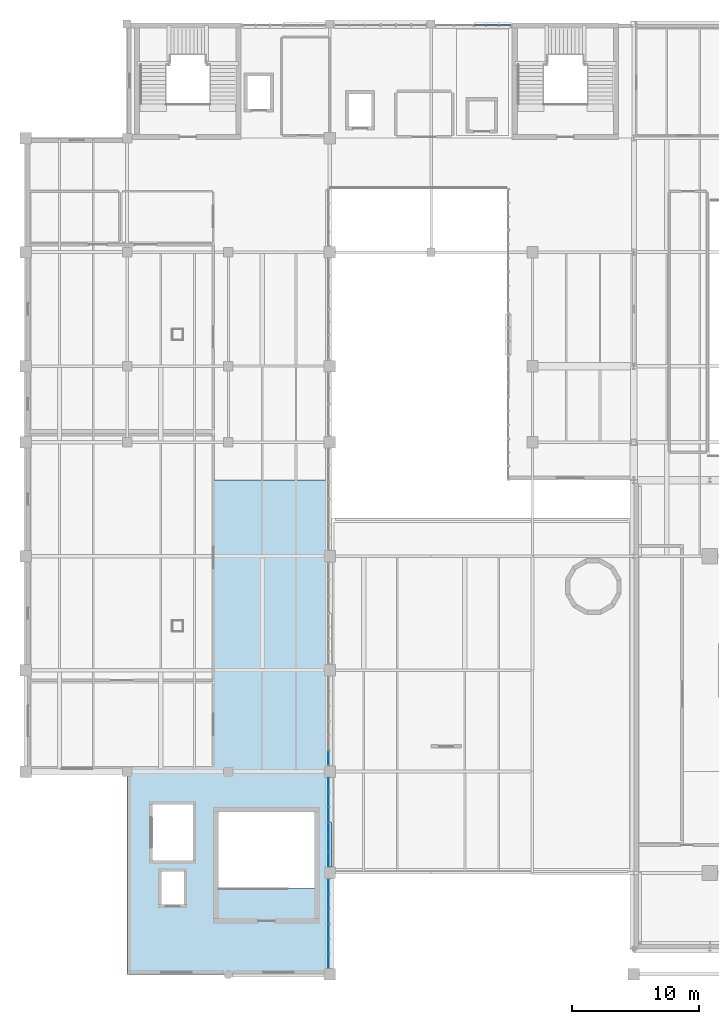
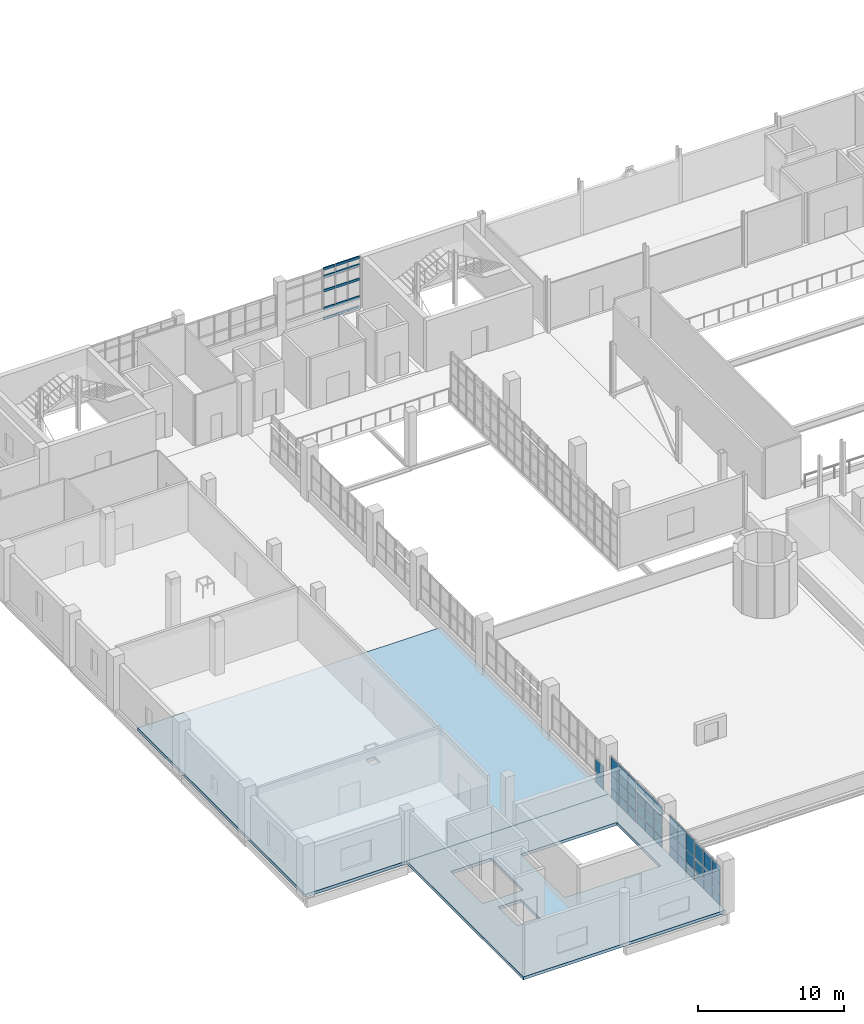
# One storey, part 50 of 85: 39 plates, 15 members, 2 slabs, 6 elements without a shape of their own.
"""IFC4 building model written with IfcOpenShell, lengths in metres."""

from ifc_helpers import new_model, si_unit, derived_unit, direction, frame, origin, origin_2d, place, context, subcontext, project, spatial, polyline, rectangle, hollow_rectangle, outline, extrude, material, layer, layer_set, material_profile, profile_set, type_object, element, aggregate, save


model = new_model("IFC4")

# Units and contexts
model_context = context("Model", 3, precision=1e-05, world=origin(), true_north=direction((0.0, 1.0)))
body_context = subcontext(model_context, "Body", "Model", "MODEL_VIEW")
ifc_project = project(units=[si_unit("LENGTHUNIT", "METRE"), si_unit("AREAUNIT", "SQUARE_METRE"), si_unit("VOLUMEUNIT", "CUBIC_METRE"), si_unit("PLANEANGLEUNIT", "RADIAN"), si_unit("MASSUNIT", "GRAM", prefix="KILO"), derived_unit("THERMALTRANSMITTANCEUNIT", [(si_unit("POWERUNIT", "WATT"), 1), (si_unit("LENGTHUNIT", "METRE"), -2), (si_unit("THERMODYNAMICTEMPERATUREUNIT", "KELVIN"), -1)])], contexts=[model_context])

# Site, building, storey
site_placement = place(None, origin())
site = spatial("IfcSite", under=ifc_project, at=site_placement, CompositionType="ELEMENT")
building_placement = place(site_placement, origin())
building = spatial("IfcBuilding", under=site, at=building_placement, Name="Nallur Shell Playhouse", CompositionType="ELEMENT")
storey_placement = place(building_placement, frame((0.0, 0.0, 19.800048828125)))
storey = spatial("IfcBuildingStorey", under=building, at=storey_placement, Name="L05", CompositionType="ELEMENT", Elevation=19.800048828125)

# Curtain wall, members
ifc_material_1 = material(Name="Anodised Aluminium Double-Glazed Facade System", Category="aluminium")
ifc_layer_1 = layer(ifc_material_1, 0.176025390625)
ifc_layer_set_1 = layer_set([ifc_layer_1], Name="Anodised Aluminium Double-Glazed Facade System")
curtain_wall_type_1 = type_object("IfcCurtainWallType", Name="CW-UNIT-04", PredefinedType="NOTDEFINED", material=ifc_layer_set_1)
curtain_wall_1_placement = place(storey_placement, origin())
curtain_wall_1 = element("IfcCurtainWall", 1, at=curtain_wall_1_placement, inside=storey, type_object=curtain_wall_type_1, Name="Unitised curtain wall CW-164 (L05)", PredefinedType="NOTDEFINED")
ifc_material_2 = material(Name="Aluminium Alloy 6063-T6 Transom", Category="aluminium")
ifc_material_profile = material_profile(ifc_material_2, hollow_rectangle(XDim=0.10009765625, YDim=0.199951171875, WallThickness=0.008056640625, at=origin_2d()), Name="RHS 200x100x8")
ifc_profile_set = profile_set([ifc_material_profile], Name="Aluminium Alloy 6063-T6 Transom")
member_type = type_object("IfcMemberType", Name="MB-CW-TRN140", PredefinedType="USERDEFINED", material=ifc_profile_set)
member_1_placement = place(storey_placement, frame((51.41845703125, 82.909912109375, 0.050048828125), z_axis=(1.0, 0.0, 0.0), x_axis=(0.0, 1.0, 0.0)))
member_1 = element("IfcMember", 2, at=member_1_placement, type_object=member_type, Name="CW-04 transom 1.1", ObjectType="TRANSOM", PredefinedType="USERDEFINED", context=body_context, shape_type="SweptSolid", body=[
    extrude(hollow_rectangle(XDim=0.10009765625, YDim=0.199951171875, WallThickness=0.008056640625, at=origin_2d()), origin(), (0.0, 0.0, 1.0), 0.897216796875),
])
member_2_placement = place(storey_placement, frame((51.41845703125, 82.909912109375, 0.89990234375), z_axis=(1.0, 0.0, 0.0), x_axis=(0.0, 1.0, 0.0)))
member_2 = element("IfcMember", 3, at=member_2_placement, type_object=member_type, Name="CW-04 transom 1.2", ObjectType="TRANSOM", PredefinedType="USERDEFINED", context=body_context, shape_type="SweptSolid", body=[
    extrude(hollow_rectangle(XDim=0.10009765625, YDim=0.199951171875, WallThickness=0.008056640625, at=origin_2d()), origin(), (0.0, 0.0, 1.0), 0.897216796875),
])
member_3_placement = place(storey_placement, frame((51.41845703125, 82.909912109375, 2.3798828125), z_axis=(1.0, 0.0, 0.0), x_axis=(0.0, 1.0, 0.0)))
member_3 = element("IfcMember", 4, at=member_3_placement, type_object=member_type, Name="CW-04 transom 1.3", ObjectType="TRANSOM", PredefinedType="USERDEFINED", context=body_context, shape_type="SweptSolid", body=[
    extrude(hollow_rectangle(XDim=0.10009765625, YDim=0.199951171875, WallThickness=0.008056640625, at=origin_2d()), origin(), (0.0, 0.0, 1.0), 0.897216796875),
])
member_4_placement = place(storey_placement, frame((51.41845703125, 82.909912109375, 3.570068359375), z_axis=(1.0, 0.0, 0.0), x_axis=(0.0, 1.0, 0.0)))
member_4 = element("IfcMember", 5, at=member_4_placement, type_object=member_type, Name="CW-04 transom 1.4", ObjectType="TRANSOM", PredefinedType="USERDEFINED", context=body_context, shape_type="SweptSolid", body=[
    extrude(hollow_rectangle(XDim=0.10009765625, YDim=0.199951171875, WallThickness=0.008056640625, at=origin_2d()), origin(), (0.0, 0.0, 1.0), 0.897216796875),
])
member_5_placement = place(storey_placement, frame((51.41845703125, 82.909912109375, 4.199951171875), z_axis=(1.0, 0.0, 0.0), x_axis=(0.0, 1.0, 0.0)))
member_5 = element("IfcMember", 6, at=member_5_placement, type_object=member_type, Name="CW-04 transom 1.5", ObjectType="TRANSOM", PredefinedType="USERDEFINED", context=body_context, shape_type="SweptSolid", body=[
    extrude(hollow_rectangle(XDim=0.10009765625, YDim=0.199951171875, WallThickness=0.008056640625, at=origin_2d()), origin(), (0.0, 0.0, 1.0), 0.897216796875),
])
member_6_placement = place(storey_placement, frame((52.379638671875, 82.909912109375, 0.050048828125), z_axis=(1.0, 0.0, 0.0), x_axis=(0.0, 1.0, 0.0)))
member_6 = element("IfcMember", 7, at=member_6_placement, type_object=member_type, Name="CW-04 transom 2.1", ObjectType="TRANSOM", PredefinedType="USERDEFINED", context=body_context, shape_type="SweptSolid", body=[
    extrude(hollow_rectangle(XDim=0.10009765625, YDim=0.199951171875, WallThickness=0.008056640625, at=origin_2d()), origin(), (0.0, 0.0, 1.0), 0.937255859375),
])
member_7_placement = place(storey_placement, frame((52.379638671875, 82.909912109375, 0.89990234375), z_axis=(1.0, 0.0, 0.0), x_axis=(0.0, 1.0, 0.0)))
member_7 = element("IfcMember", 8, at=member_7_placement, type_object=member_type, Name="CW-04 transom 2.2", ObjectType="TRANSOM", PredefinedType="USERDEFINED", context=body_context, shape_type="SweptSolid", body=[
    extrude(hollow_rectangle(XDim=0.10009765625, YDim=0.199951171875, WallThickness=0.008056640625, at=origin_2d()), origin(), (0.0, 0.0, 1.0), 0.937255859375),
])
member_8_placement = place(storey_placement, frame((52.379638671875, 82.909912109375, 2.3798828125), z_axis=(1.0, 0.0, 0.0), x_axis=(0.0, 1.0, 0.0)))
member_8 = element("IfcMember", 9, at=member_8_placement, type_object=member_type, Name="CW-04 transom 2.3", ObjectType="TRANSOM", PredefinedType="USERDEFINED", context=body_context, shape_type="SweptSolid", body=[
    extrude(hollow_rectangle(XDim=0.10009765625, YDim=0.199951171875, WallThickness=0.008056640625, at=origin_2d()), origin(), (0.0, 0.0, 1.0), 0.937255859375),
])
member_9_placement = place(storey_placement, frame((52.379638671875, 82.909912109375, 3.570068359375), z_axis=(1.0, 0.0, 0.0), x_axis=(0.0, 1.0, 0.0)))
member_9 = element("IfcMember", 10, at=member_9_placement, type_object=member_type, Name="CW-04 transom 2.4", ObjectType="TRANSOM", PredefinedType="USERDEFINED", context=body_context, shape_type="SweptSolid", body=[
    extrude(hollow_rectangle(XDim=0.10009765625, YDim=0.199951171875, WallThickness=0.008056640625, at=origin_2d()), origin(), (0.0, 0.0, 1.0), 0.937255859375),
])
member_10_placement = place(storey_placement, frame((52.379638671875, 82.909912109375, 4.199951171875), z_axis=(1.0, 0.0, 0.0), x_axis=(0.0, 1.0, 0.0)))
member_10 = element("IfcMember", 11, at=member_10_placement, type_object=member_type, Name="CW-04 transom 2.5", ObjectType="TRANSOM", PredefinedType="USERDEFINED", context=body_context, shape_type="SweptSolid", body=[
    extrude(hollow_rectangle(XDim=0.10009765625, YDim=0.199951171875, WallThickness=0.008056640625, at=origin_2d()), origin(), (0.0, 0.0, 1.0), 0.937255859375),
])
member_11_placement = place(storey_placement, frame((53.380859375, 82.909912109375, 0.050048828125), z_axis=(1.0, 0.0, 0.0), x_axis=(0.0, 1.0, 0.0)))
member_11 = element("IfcMember", 12, at=member_11_placement, type_object=member_type, Name="CW-04 transom 3.1", ObjectType="TRANSOM", PredefinedType="USERDEFINED", context=body_context, shape_type="SweptSolid", body=[
    extrude(hollow_rectangle(XDim=0.10009765625, YDim=0.199951171875, WallThickness=0.008056640625, at=origin_2d()), origin(), (0.0, 0.0, 1.0), 0.897216796875),
])
member_12_placement = place(storey_placement, frame((53.380859375, 82.909912109375, 0.89990234375), z_axis=(1.0, 0.0, 0.0), x_axis=(0.0, 1.0, 0.0)))
member_12 = element("IfcMember", 13, at=member_12_placement, type_object=member_type, Name="CW-04 transom 3.2", ObjectType="TRANSOM", PredefinedType="USERDEFINED", context=body_context, shape_type="SweptSolid", body=[
    extrude(hollow_rectangle(XDim=0.10009765625, YDim=0.199951171875, WallThickness=0.008056640625, at=origin_2d()), origin(), (0.0, 0.0, 1.0), 0.897216796875),
])
member_13_placement = place(storey_placement, frame((53.380859375, 82.909912109375, 2.3798828125), z_axis=(1.0, 0.0, 0.0), x_axis=(0.0, 1.0, 0.0)))
member_13 = element("IfcMember", 14, at=member_13_placement, type_object=member_type, Name="CW-04 transom 3.3", ObjectType="TRANSOM", PredefinedType="USERDEFINED", context=body_context, shape_type="SweptSolid", body=[
    extrude(hollow_rectangle(XDim=0.10009765625, YDim=0.199951171875, WallThickness=0.008056640625, at=origin_2d()), origin(), (0.0, 0.0, 1.0), 0.897216796875),
])
member_14_placement = place(storey_placement, frame((53.380859375, 82.909912109375, 3.570068359375), z_axis=(1.0, 0.0, 0.0), x_axis=(0.0, 1.0, 0.0)))
member_14 = element("IfcMember", 15, at=member_14_placement, type_object=member_type, Name="CW-04 transom 3.4", ObjectType="TRANSOM", PredefinedType="USERDEFINED", context=body_context, shape_type="SweptSolid", body=[
    extrude(hollow_rectangle(XDim=0.10009765625, YDim=0.199951171875, WallThickness=0.008056640625, at=origin_2d()), origin(), (0.0, 0.0, 1.0), 0.897216796875),
])
member_15_placement = place(storey_placement, frame((53.380859375, 82.909912109375, 4.199951171875), z_axis=(1.0, 0.0, 0.0), x_axis=(0.0, 1.0, 0.0)))
member_15 = element("IfcMember", 16, at=member_15_placement, type_object=member_type, Name="CW-04 transom 3.5", ObjectType="TRANSOM", PredefinedType="USERDEFINED", context=body_context, shape_type="SweptSolid", body=[
    extrude(hollow_rectangle(XDim=0.10009765625, YDim=0.199951171875, WallThickness=0.008056640625, at=origin_2d()), origin(), (0.0, 0.0, 1.0), 0.897216796875),
])
aggregate(curtain_wall_1, [member_1, member_2, member_3, member_4, member_5, member_6, member_7, member_8, member_9, member_10, member_11, member_12, member_13, member_14, member_15])

# Curtain wall, plates
ifc_layer_2 = layer(ifc_material_1, 0.1640625)
ifc_layer_set_2 = layer_set([ifc_layer_2], Name="Anodised Aluminium Double-Glazed Facade System")
curtain_wall_type_2 = type_object("IfcCurtainWallType", Name="CW-UNIT-25", PredefinedType="NOTDEFINED", material=ifc_layer_set_2)
curtain_wall_2_placement = place(storey_placement, origin())
curtain_wall_2 = element("IfcCurtainWall", 17, at=curtain_wall_2_placement, inside=storey, type_object=curtain_wall_type_2, Name="Unitised curtain wall CW-185 (L05)", PredefinedType="NOTDEFINED")
ifc_material_3 = material(Name="Solar-Control Low-E Laminated Insulating Glass", Category="glass")
ifc_layer_3 = layer(ifc_material_3, 0.02587890625)
ifc_layer_set_3 = layer_set([ifc_layer_3], Name="Solar-Control Low-E Laminated Insulating Glass")
plate_type_1 = type_object("IfcPlateType", Name="PT-GLZ-01", PredefinedType="CURTAIN_PANEL", material=ifc_layer_set_3)
plate_1_placement = place(storey_placement, frame((39.909912109375, 14.9326171875, 0.05712890625), z_axis=(0.0, 0.0, 1.0), x_axis=(0.0, -1.0, 0.0)))
plate_1 = element("IfcPlate", 18, at=plate_1_placement, type_object=plate_type_1, Name="CW-25 panel 1.1", PredefinedType="CURTAIN_PANEL", context=body_context, shape_type="SweptSolid", body=[
    extrude(rectangle(XDim=1.074951171875, YDim=0.02587890625, at=origin_2d()), origin(), (0.0, 0.0, 1.0), 0.818603515625),
])
plate_2_placement = place(storey_placement, frame((39.909912109375, 14.9326171875, 0.92431640625), z_axis=(0.0, 0.0, 1.0), x_axis=(0.0, -1.0, 0.0)))
plate_2 = element("IfcPlate", 19, at=plate_2_placement, type_object=plate_type_1, Name="CW-25 panel 1.2", PredefinedType="CURTAIN_PANEL", context=body_context, shape_type="SweptSolid", body=[
    extrude(rectangle(XDim=1.074951171875, YDim=0.02587890625, at=origin_2d()), origin(), (0.0, 0.0, 1.0), 0.990966796875),
])
plate_3_placement = place(storey_placement, frame((39.909912109375, 14.9326171875, 1.96435546875), z_axis=(0.0, 0.0, 1.0), x_axis=(0.0, -1.0, 0.0)))
plate_3 = element("IfcPlate", 20, at=plate_3_placement, type_object=plate_type_1, Name="CW-25 panel 1.3", PredefinedType="CURTAIN_PANEL", context=body_context, shape_type="SweptSolid", body=[
    extrude(rectangle(XDim=1.074951171875, YDim=0.02587890625, at=origin_2d()), origin(), (0.0, 0.0, 1.0), 1.443603515625),
])
plate_4_placement = place(storey_placement, frame((39.909912109375, 13.7734375, 0.05712890625), z_axis=(0.0, 0.0, 1.0), x_axis=(0.0, -1.0, 0.0)))
plate_4 = element("IfcPlate", 21, at=plate_4_placement, type_object=plate_type_1, Name="CW-25 panel 2.1", PredefinedType="CURTAIN_PANEL", context=body_context, shape_type="SweptSolid", body=[
    extrude(rectangle(XDim=1.114990234375, YDim=0.02587890625, at=origin_2d()), origin(), (0.0, 0.0, 1.0), 0.818603515625),
])
plate_5_placement = place(storey_placement, frame((39.909912109375, 13.7734375, 0.92431640625), z_axis=(0.0, 0.0, 1.0), x_axis=(0.0, -1.0, 0.0)))
plate_5 = element("IfcPlate", 22, at=plate_5_placement, type_object=plate_type_1, Name="CW-25 panel 2.2", PredefinedType="CURTAIN_PANEL", context=body_context, shape_type="SweptSolid", body=[
    extrude(rectangle(XDim=1.114990234375, YDim=0.02587890625, at=origin_2d()), origin(), (0.0, 0.0, 1.0), 0.990966796875),
])
plate_6_placement = place(storey_placement, frame((39.909912109375, 13.7734375, 1.96435546875), z_axis=(0.0, 0.0, 1.0), x_axis=(0.0, -1.0, 0.0)))
plate_6 = element("IfcPlate", 23, at=plate_6_placement, type_object=plate_type_1, Name="CW-25 panel 2.3", PredefinedType="CURTAIN_PANEL", context=body_context, shape_type="SweptSolid", body=[
    extrude(rectangle(XDim=1.114990234375, YDim=0.02587890625, at=origin_2d()), origin(), (0.0, 0.0, 1.0), 1.443603515625),
])
plate_7_placement = place(storey_placement, frame((39.909912109375, 12.614501953125, 0.05712890625), z_axis=(0.0, 0.0, 1.0), x_axis=(0.0, -1.0, 0.0)))
plate_7 = element("IfcPlate", 24, at=plate_7_placement, type_object=plate_type_1, Name="CW-25 panel 3.1", PredefinedType="CURTAIN_PANEL", context=body_context, shape_type="SweptSolid", body=[
    extrude(rectangle(XDim=1.074951171875, YDim=0.02587890625, at=origin_2d()), origin(), (0.0, 0.0, 1.0), 0.818603515625),
])
plate_8_placement = place(storey_placement, frame((39.909912109375, 12.614501953125, 0.92431640625), z_axis=(0.0, 0.0, 1.0), x_axis=(0.0, -1.0, 0.0)))
plate_8 = element("IfcPlate", 25, at=plate_8_placement, type_object=plate_type_1, Name="CW-25 panel 3.2", PredefinedType="CURTAIN_PANEL", context=body_context, shape_type="SweptSolid", body=[
    extrude(rectangle(XDim=1.074951171875, YDim=0.02587890625, at=origin_2d()), origin(), (0.0, 0.0, 1.0), 0.990966796875),
])
plate_9_placement = place(storey_placement, frame((39.909912109375, 12.614501953125, 1.96435546875), z_axis=(0.0, 0.0, 1.0), x_axis=(0.0, -1.0, 0.0)))
plate_9 = element("IfcPlate", 26, at=plate_9_placement, type_object=plate_type_1, Name="CW-25 panel 3.3", PredefinedType="CURTAIN_PANEL", context=body_context, shape_type="SweptSolid", body=[
    extrude(rectangle(XDim=1.074951171875, YDim=0.02587890625, at=origin_2d()), origin(), (0.0, 0.0, 1.0), 1.443603515625),
])
aggregate(curtain_wall_2, [plate_1, plate_2, plate_3, plate_4, plate_5, plate_6, plate_7, plate_8, plate_9])

ifc_layer_4 = layer(ifc_material_1, 0.16796875)
ifc_layer_set_4 = layer_set([ifc_layer_4], Name="Anodised Aluminium Double-Glazed Facade System")
curtain_wall_type_3 = type_object("IfcCurtainWallType", Name="CW-UNIT-26", PredefinedType="NOTDEFINED", material=ifc_layer_set_4)
curtain_wall_3_placement = place(storey_placement, origin())
curtain_wall_3 = element("IfcCurtainWall", 27, at=curtain_wall_3_placement, inside=storey, type_object=curtain_wall_type_3, Name="Unitised curtain wall CW-186 (L05)", PredefinedType="NOTDEFINED")
ifc_layer_5 = layer(ifc_material_3, 0.028076171875)
ifc_layer_set_5 = layer_set([ifc_layer_5], Name="Solar-Control Low-E Laminated Insulating Glass")
plate_type_2 = type_object("IfcPlateType", Name="PT-GLZ-02", PredefinedType="CURTAIN_PANEL", material=ifc_layer_set_5)
plate_10_placement = place(storey_placement, frame((39.909912109375, 11.38671875, 0.091796875), z_axis=(0.0, 0.0, 1.0), x_axis=(0.0, -1.0, 0.0)))
plate_10 = element("IfcPlate", 28, at=plate_10_placement, type_object=plate_type_2, Name="CW-26 panel 1.1", PredefinedType="CURTAIN_PANEL", context=body_context, shape_type="SweptSolid", body=[
    extrude(rectangle(XDim=1.08251953125, YDim=0.028076171875, at=origin_2d()), origin(), (0.0, 0.0, 1.0), 0.76611328125),
])
plate_11_placement = place(storey_placement, frame((39.909912109375, 11.38671875, 0.94189453125), z_axis=(0.0, 0.0, 1.0), x_axis=(0.0, -1.0, 0.0)))
plate_11 = element("IfcPlate", 29, at=plate_11_placement, type_object=plate_type_2, Name="CW-26 panel 1.2", PredefinedType="CURTAIN_PANEL", context=body_context, shape_type="SweptSolid", body=[
    extrude(rectangle(XDim=1.08251953125, YDim=0.028076171875, at=origin_2d()), origin(), (0.0, 0.0, 1.0), 0.945068359375),
])
plate_12_placement = place(storey_placement, frame((39.909912109375, 11.38671875, 1.970703125), z_axis=(0.0, 0.0, 1.0), x_axis=(0.0, -1.0, 0.0)))
plate_12 = element("IfcPlate", 30, at=plate_12_placement, type_object=plate_type_2, Name="CW-26 panel 1.3", PredefinedType="CURTAIN_PANEL", context=body_context, shape_type="SweptSolid", body=[
    extrude(rectangle(XDim=1.08251953125, YDim=0.028076171875, at=origin_2d()), origin(), (0.0, 0.0, 1.0), 1.382080078125),
])
plate_13_placement = place(storey_placement, frame((39.909912109375, 10.2265625, 0.091796875), z_axis=(0.0, 0.0, 1.0), x_axis=(0.0, -1.0, 0.0)))
plate_13 = element("IfcPlate", 31, at=plate_13_placement, type_object=plate_type_2, Name="CW-26 panel 2.1", PredefinedType="CURTAIN_PANEL", context=body_context, shape_type="SweptSolid", body=[
    extrude(rectangle(XDim=1.1201171875, YDim=0.028076171875, at=origin_2d()), origin(), (0.0, 0.0, 1.0), 0.76611328125),
])
plate_14_placement = place(storey_placement, frame((39.909912109375, 10.2265625, 0.94189453125), z_axis=(0.0, 0.0, 1.0), x_axis=(0.0, -1.0, 0.0)))
plate_14 = element("IfcPlate", 32, at=plate_14_placement, type_object=plate_type_2, Name="CW-26 panel 2.2", PredefinedType="CURTAIN_PANEL", context=body_context, shape_type="SweptSolid", body=[
    extrude(rectangle(XDim=1.1201171875, YDim=0.028076171875, at=origin_2d()), origin(), (0.0, 0.0, 1.0), 0.945068359375),
])
plate_15_placement = place(storey_placement, frame((39.909912109375, 10.2265625, 1.970703125), z_axis=(0.0, 0.0, 1.0), x_axis=(0.0, -1.0, 0.0)))
plate_15 = element("IfcPlate", 33, at=plate_15_placement, type_object=plate_type_2, Name="CW-26 panel 2.3", PredefinedType="CURTAIN_PANEL", context=body_context, shape_type="SweptSolid", body=[
    extrude(rectangle(XDim=1.1201171875, YDim=0.028076171875, at=origin_2d()), origin(), (0.0, 0.0, 1.0), 1.382080078125),
])
plate_16_placement = place(storey_placement, frame((39.909912109375, 9.066162109375, 0.091796875), z_axis=(0.0, 0.0, 1.0), x_axis=(0.0, -1.0, 0.0)))
plate_16 = element("IfcPlate", 34, at=plate_16_placement, type_object=plate_type_2, Name="CW-26 panel 3.1", PredefinedType="CURTAIN_PANEL", context=body_context, shape_type="SweptSolid", body=[
    extrude(rectangle(XDim=1.08251953125, YDim=0.028076171875, at=origin_2d()), origin(), (0.0, 0.0, 1.0), 0.76611328125),
])
plate_17_placement = place(storey_placement, frame((39.909912109375, 9.066162109375, 0.94189453125), z_axis=(0.0, 0.0, 1.0), x_axis=(0.0, -1.0, 0.0)))
plate_17 = element("IfcPlate", 35, at=plate_17_placement, type_object=plate_type_2, Name="CW-26 panel 3.2", PredefinedType="CURTAIN_PANEL", context=body_context, shape_type="SweptSolid", body=[
    extrude(rectangle(XDim=1.08251953125, YDim=0.028076171875, at=origin_2d()), origin(), (0.0, 0.0, 1.0), 0.945068359375),
])
plate_18_placement = place(storey_placement, frame((39.909912109375, 9.066162109375, 1.970703125), z_axis=(0.0, 0.0, 1.0), x_axis=(0.0, -1.0, 0.0)))
plate_18 = element("IfcPlate", 36, at=plate_18_placement, type_object=plate_type_2, Name="CW-26 panel 3.3", PredefinedType="CURTAIN_PANEL", context=body_context, shape_type="SweptSolid", body=[
    extrude(rectangle(XDim=1.08251953125, YDim=0.028076171875, at=origin_2d()), origin(), (0.0, 0.0, 1.0), 1.382080078125),
])
aggregate(curtain_wall_3, [plate_10, plate_11, plate_12, plate_13, plate_14, plate_15, plate_16, plate_17, plate_18])

ifc_layer_6 = layer(ifc_material_1, 0.176025390625)
ifc_layer_set_6 = layer_set([ifc_layer_6], Name="Anodised Aluminium Double-Glazed Facade System")
curtain_wall_type_4 = type_object("IfcCurtainWallType", Name="CW-UNIT-22", PredefinedType="NOTDEFINED", material=ifc_layer_set_6)
curtain_wall_4_placement = place(storey_placement, origin())
curtain_wall_4 = element("IfcCurtainWall", 37, at=curtain_wall_4_placement, inside=storey, type_object=curtain_wall_type_4, Name="Unitised curtain wall CW-182 (L05)", PredefinedType="NOTDEFINED")
ifc_layer_7 = layer(ifc_material_3, 0.035888671875)
ifc_layer_set_7 = layer_set([ifc_layer_7], Name="Solar-Control Low-E Laminated Insulating Glass")
plate_type_3 = type_object("IfcPlateType", Name="PT-GLZ-06", PredefinedType="CURTAIN_PANEL", material=ifc_layer_set_7)
plate_19_placement = place(storey_placement, frame((39.909912109375, 25.0673828125, 0.091796875), z_axis=(0.0, 0.0, 1.0), x_axis=(0.0, -1.0, 0.0)))
plate_19 = element("IfcPlate", 38, at=plate_19_placement, type_object=plate_type_3, Name="CW-22 panel 3.1", PredefinedType="CURTAIN_PANEL", context=body_context, shape_type="SweptSolid", body=[
    extrude(rectangle(XDim=1.074951171875, YDim=0.035888671875, at=origin_2d()), origin(), (0.0, 0.0, 1.0), 0.76611328125),
])
plate_20_placement = place(storey_placement, frame((39.909912109375, 25.0673828125, 0.94189453125), z_axis=(0.0, 0.0, 1.0), x_axis=(0.0, -1.0, 0.0)))
plate_20 = element("IfcPlate", 39, at=plate_20_placement, type_object=plate_type_3, Name="CW-22 panel 3.2", PredefinedType="CURTAIN_PANEL", context=body_context, shape_type="SweptSolid", body=[
    extrude(rectangle(XDim=1.074951171875, YDim=0.035888671875, at=origin_2d()), origin(), (0.0, 0.0, 1.0), 1.113037109375),
])
aggregate(curtain_wall_4, [plate_19, plate_20])

ifc_layer_8 = layer(ifc_material_1, 0.179931640625)
ifc_layer_set_8 = layer_set([ifc_layer_8], Name="Anodised Aluminium Double-Glazed Facade System")
curtain_wall_type_5 = type_object("IfcCurtainWallType", Name="CW-UNIT-23", PredefinedType="NOTDEFINED", material=ifc_layer_set_8)
curtain_wall_5_placement = place(storey_placement, origin())
curtain_wall_5 = element("IfcCurtainWall", 40, at=curtain_wall_5_placement, inside=storey, type_object=curtain_wall_type_5, Name="Unitised curtain wall CW-183 (L05)", PredefinedType="NOTDEFINED")
ifc_layer_9 = layer(ifc_material_3, 0.0380859375)
ifc_layer_set_9 = layer_set([ifc_layer_9], Name="Solar-Control Low-E Laminated Insulating Glass")
plate_type_4 = type_object("IfcPlateType", Name="PT-GLZ-07", PredefinedType="CURTAIN_PANEL", material=ifc_layer_set_9)
plate_21_placement = place(storey_placement, frame((39.909912109375, 22.933837890625, 0.05712890625), z_axis=(0.0, 0.0, 1.0), x_axis=(0.0, -1.0, 0.0)))
plate_21 = element("IfcPlate", 41, at=plate_21_placement, type_object=plate_type_4, Name="CW-23 panel 1.1", PredefinedType="CURTAIN_PANEL", context=body_context, shape_type="SweptSolid", body=[
    extrude(rectangle(XDim=1.08251953125, YDim=0.0380859375, at=origin_2d()), origin(), (0.0, 0.0, 1.0), 0.818603515625),
])
plate_22_placement = place(storey_placement, frame((39.909912109375, 22.933837890625, 0.924560546875), z_axis=(0.0, 0.0, 1.0), x_axis=(0.0, -1.0, 0.0)))
plate_22 = element("IfcPlate", 42, at=plate_22_placement, type_object=plate_type_4, Name="CW-23 panel 1.2", PredefinedType="CURTAIN_PANEL", context=body_context, shape_type="SweptSolid", body=[
    extrude(rectangle(XDim=1.08251953125, YDim=0.0380859375, at=origin_2d()), origin(), (0.0, 0.0, 1.0), 1.02490234375),
])
plate_23_placement = place(storey_placement, frame((39.909912109375, 22.933837890625, 1.99853515625), z_axis=(0.0, 0.0, 1.0), x_axis=(0.0, -1.0, 0.0)))
plate_23 = element("IfcPlate", 43, at=plate_23_placement, type_object=plate_type_4, Name="CW-23 panel 1.3", PredefinedType="CURTAIN_PANEL", context=body_context, shape_type="SweptSolid", body=[
    extrude(rectangle(XDim=1.08251953125, YDim=0.0380859375, at=origin_2d()), origin(), (0.0, 0.0, 1.0), 1.469482421875),
])
plate_24_placement = place(storey_placement, frame((39.909912109375, 21.7734375, 0.05712890625), z_axis=(0.0, 0.0, 1.0), x_axis=(0.0, -1.0, 0.0)))
plate_24 = element("IfcPlate", 44, at=plate_24_placement, type_object=plate_type_4, Name="CW-23 panel 2.1", PredefinedType="CURTAIN_PANEL", context=body_context, shape_type="SweptSolid", body=[
    extrude(rectangle(XDim=1.1201171875, YDim=0.0380859375, at=origin_2d()), origin(), (0.0, 0.0, 1.0), 0.818603515625),
])
plate_25_placement = place(storey_placement, frame((39.909912109375, 21.7734375, 0.924560546875), z_axis=(0.0, 0.0, 1.0), x_axis=(0.0, -1.0, 0.0)))
plate_25 = element("IfcPlate", 45, at=plate_25_placement, type_object=plate_type_4, Name="CW-23 panel 2.2", PredefinedType="CURTAIN_PANEL", context=body_context, shape_type="SweptSolid", body=[
    extrude(rectangle(XDim=1.1201171875, YDim=0.0380859375, at=origin_2d()), origin(), (0.0, 0.0, 1.0), 1.02490234375),
])
plate_26_placement = place(storey_placement, frame((39.909912109375, 21.7734375, 1.99853515625), z_axis=(0.0, 0.0, 1.0), x_axis=(0.0, -1.0, 0.0)))
plate_26 = element("IfcPlate", 46, at=plate_26_placement, type_object=plate_type_4, Name="CW-23 panel 2.3", PredefinedType="CURTAIN_PANEL", context=body_context, shape_type="SweptSolid", body=[
    extrude(rectangle(XDim=1.1201171875, YDim=0.0380859375, at=origin_2d()), origin(), (0.0, 0.0, 1.0), 1.469482421875),
])
plate_27_placement = place(storey_placement, frame((39.909912109375, 20.61328125, 0.05712890625), z_axis=(0.0, 0.0, 1.0), x_axis=(0.0, -1.0, 0.0)))
plate_27 = element("IfcPlate", 47, at=plate_27_placement, type_object=plate_type_4, Name="CW-23 panel 3.1", PredefinedType="CURTAIN_PANEL", context=body_context, shape_type="SweptSolid", body=[
    extrude(rectangle(XDim=1.08251953125, YDim=0.0380859375, at=origin_2d()), origin(), (0.0, 0.0, 1.0), 0.818603515625),
])
plate_28_placement = place(storey_placement, frame((39.909912109375, 20.61328125, 0.924560546875), z_axis=(0.0, 0.0, 1.0), x_axis=(0.0, -1.0, 0.0)))
plate_28 = element("IfcPlate", 48, at=plate_28_placement, type_object=plate_type_4, Name="CW-23 panel 3.2", PredefinedType="CURTAIN_PANEL", context=body_context, shape_type="SweptSolid", body=[
    extrude(rectangle(XDim=1.08251953125, YDim=0.0380859375, at=origin_2d()), origin(), (0.0, 0.0, 1.0), 1.02490234375),
])
plate_29_placement = place(storey_placement, frame((39.909912109375, 20.61328125, 1.99853515625), z_axis=(0.0, 0.0, 1.0), x_axis=(0.0, -1.0, 0.0)))
plate_29 = element("IfcPlate", 49, at=plate_29_placement, type_object=plate_type_4, Name="CW-23 panel 3.3", PredefinedType="CURTAIN_PANEL", context=body_context, shape_type="SweptSolid", body=[
    extrude(rectangle(XDim=1.08251953125, YDim=0.0380859375, at=origin_2d()), origin(), (0.0, 0.0, 1.0), 1.469482421875),
])
aggregate(curtain_wall_5, [plate_21, plate_22, plate_23, plate_24, plate_25, plate_26, plate_27, plate_28, plate_29])

ifc_layer_10 = layer(ifc_material_1, 0.159912109375)
ifc_layer_set_10 = layer_set([ifc_layer_10], Name="Anodised Aluminium Double-Glazed Facade System")
curtain_wall_type_6 = type_object("IfcCurtainWallType", Name="CW-UNIT-24", PredefinedType="NOTDEFINED", material=ifc_layer_set_10)
curtain_wall_6_placement = place(storey_placement, origin())
curtain_wall_6 = element("IfcCurtainWall", 50, at=curtain_wall_6_placement, inside=storey, type_object=curtain_wall_type_6, Name="Unitised curtain wall CW-184 (L05)", PredefinedType="NOTDEFINED")
ifc_layer_11 = layer(ifc_material_3, 0.0400390625)
ifc_layer_set_11 = layer_set([ifc_layer_11], Name="Solar-Control Low-E Laminated Insulating Glass")
plate_type_5 = type_object("IfcPlateType", Name="PT-GLZ-08", PredefinedType="CURTAIN_PANEL", material=ifc_layer_set_11)
plate_30_placement = place(storey_placement, frame((39.909912109375, 19.38916015625, 0.091796875), z_axis=(0.0, 0.0, 1.0), x_axis=(0.0, -1.0, 0.0)))
plate_30 = element("IfcPlate", 51, at=plate_30_placement, type_object=plate_type_5, Name="CW-24 panel 1.1", PredefinedType="CURTAIN_PANEL", context=body_context, shape_type="SweptSolid", body=[
    extrude(rectangle(XDim=1.097412109375, YDim=0.0400390625, at=origin_2d()), origin(), (0.0, 0.0, 1.0), 0.76611328125),
])
plate_31_placement = place(storey_placement, frame((39.909912109375, 19.38916015625, 0.94189453125), z_axis=(0.0, 0.0, 1.0), x_axis=(0.0, -1.0, 0.0)))
plate_31 = element("IfcPlate", 52, at=plate_31_placement, type_object=plate_type_5, Name="CW-24 panel 1.2", PredefinedType="CURTAIN_PANEL", context=body_context, shape_type="SweptSolid", body=[
    extrude(rectangle(XDim=1.097412109375, YDim=0.0400390625, at=origin_2d()), origin(), (0.0, 0.0, 1.0), 1.02392578125),
])
plate_32_placement = place(storey_placement, frame((39.909912109375, 19.38916015625, 2.0498046875), z_axis=(0.0, 0.0, 1.0), x_axis=(0.0, -1.0, 0.0)))
plate_32 = element("IfcPlate", 53, at=plate_32_placement, type_object=plate_type_5, Name="CW-24 panel 1.3", PredefinedType="CURTAIN_PANEL", context=body_context, shape_type="SweptSolid", body=[
    extrude(rectangle(XDim=1.097412109375, YDim=0.0400390625, at=origin_2d()), origin(), (0.0, 0.0, 1.0), 1.443115234375),
])
plate_33_placement = place(storey_placement, frame((39.909912109375, 18.2265625, 0.091796875), z_axis=(0.0, 0.0, 1.0), x_axis=(0.0, -1.0, 0.0)))
plate_33 = element("IfcPlate", 54, at=plate_33_placement, type_object=plate_type_5, Name="CW-24 panel 2.1", PredefinedType="CURTAIN_PANEL", context=body_context, shape_type="SweptSolid", body=[
    extrude(rectangle(XDim=1.1298828125, YDim=0.0400390625, at=origin_2d()), origin(), (0.0, 0.0, 1.0), 0.76611328125),
])
plate_34_placement = place(storey_placement, frame((39.909912109375, 18.2265625, 0.94189453125), z_axis=(0.0, 0.0, 1.0), x_axis=(0.0, -1.0, 0.0)))
plate_34 = element("IfcPlate", 55, at=plate_34_placement, type_object=plate_type_5, Name="CW-24 panel 2.2", PredefinedType="CURTAIN_PANEL", context=body_context, shape_type="SweptSolid", body=[
    extrude(rectangle(XDim=1.1298828125, YDim=0.0400390625, at=origin_2d()), origin(), (0.0, 0.0, 1.0), 1.02392578125),
])
plate_35_placement = place(storey_placement, frame((39.909912109375, 18.2265625, 2.0498046875), z_axis=(0.0, 0.0, 1.0), x_axis=(0.0, -1.0, 0.0)))
plate_35 = element("IfcPlate", 56, at=plate_35_placement, type_object=plate_type_5, Name="CW-24 panel 2.3", PredefinedType="CURTAIN_PANEL", context=body_context, shape_type="SweptSolid", body=[
    extrude(rectangle(XDim=1.1298828125, YDim=0.0400390625, at=origin_2d()), origin(), (0.0, 0.0, 1.0), 1.443115234375),
])
plate_36_placement = place(storey_placement, frame((39.909912109375, 17.063720703125, 0.091796875), z_axis=(0.0, 0.0, 1.0), x_axis=(0.0, -1.0, 0.0)))
plate_36 = element("IfcPlate", 57, at=plate_36_placement, type_object=plate_type_5, Name="CW-24 panel 3.1", PredefinedType="CURTAIN_PANEL", context=body_context, shape_type="SweptSolid", body=[
    extrude(rectangle(XDim=1.097412109375, YDim=0.0400390625, at=origin_2d()), origin(), (0.0, 0.0, 1.0), 0.76611328125),
])
plate_37_placement = place(storey_placement, frame((39.909912109375, 17.063720703125, 0.94189453125), z_axis=(0.0, 0.0, 1.0), x_axis=(0.0, -1.0, 0.0)))
plate_37 = element("IfcPlate", 58, at=plate_37_placement, type_object=plate_type_5, Name="CW-24 panel 3.2", PredefinedType="CURTAIN_PANEL", context=body_context, shape_type="SweptSolid", body=[
    extrude(rectangle(XDim=1.097412109375, YDim=0.0400390625, at=origin_2d()), origin(), (0.0, 0.0, 1.0), 1.02392578125),
])
plate_38_placement = place(storey_placement, frame((39.909912109375, 17.063720703125, 2.0498046875), z_axis=(0.0, 0.0, 1.0), x_axis=(0.0, -1.0, 0.0)))
plate_38 = element("IfcPlate", 59, at=plate_38_placement, type_object=plate_type_5, Name="CW-24 panel 3.3", PredefinedType="CURTAIN_PANEL", context=body_context, shape_type="SweptSolid", body=[
    extrude(rectangle(XDim=1.097412109375, YDim=0.0400390625, at=origin_2d()), origin(), (0.0, 0.0, 1.0), 1.443115234375),
])
aggregate(curtain_wall_6, [plate_30, plate_31, plate_32, plate_33, plate_34, plate_35, plate_36, plate_37, plate_38])

# Plate
ifc_material_4 = material(Name="Terracotta & Gold-Anodised Monsoon Sunshade Blade", Category="masonry")
ifc_layer_12 = layer(ifc_material_4, 0.050048828125)
ifc_layer_set_12 = layer_set([ifc_layer_12], Name="Terracotta & Gold-Anodised Monsoon Sunshade Blade")
plate_type_6 = type_object("IfcPlateType", Name="PT-LOUVRE-02", PredefinedType="USERDEFINED", material=ifc_layer_set_12)
plate_39_placement = place(storey_placement, frame((39.909912109375, 18.2265625, 2.8798828125), z_axis=(0.0, 0.0, 1.0), x_axis=(0.0, -1.0, 0.0)))
element("IfcPlate", 60, at=plate_39_placement, inside=storey, type_object=plate_type_6, Name="Monsoon sunshade louvre blade LV-046", ObjectType="SUNSHADE LOUVRE", PredefinedType="USERDEFINED", context=body_context, shape_type="SweptSolid", body=[
    extrude(rectangle(XDim=3.4970703125, YDim=0.419921875, at=origin_2d()), origin(), (0.0, 0.0, 1.0), 0.050048828125),
])

# Slabs
ifc_material_5 = material(Name="Concrete M30", Category="concrete")
ifc_layer_13 = layer(ifc_material_5, 0.25)
ifc_layer_set_13 = layer_set([ifc_layer_13], Name="Concrete M30")
slab_type = type_object("IfcSlabType", Name="SL-UPPER-250", PredefinedType="FLOOR", material=ifc_layer_set_13)
slab_1_placement = place(storey_placement, frame((0.0, 0.0, -0.25)))
element("IfcSlab", 61, at=slab_1_placement, inside=storey, type_object=slab_type, Name="L05 structural floor slab panel 01", PredefinedType="FLOOR", context=body_context, shape_type="SweptSolid", body=[
    extrude(outline(polyline([(40.0, 8.0), (24.0, 8.0), (24.0, 24.0), (40.0, 24.0), (40.0, 8.0)]), holes=[polyline([(26.699951171875, 16.10009765625), (26.699951171875, 13.5), (28.5, 13.5), (28.5, 16.10009765625), (26.699951171875, 16.10009765625)]), polyline([(38.800048828125, 20.800048828125), (31.199951171875, 20.800048828125), (31.199951171875, 14.800048828125), (38.800048828125, 14.800048828125), (38.800048828125, 20.800048828125)]), polyline([(26.0, 21.39990234375), (26.0, 17.0), (29.199951171875, 17.0), (29.199951171875, 21.39990234375), (26.0, 21.39990234375)])]), origin(), (0.0, 0.0, 1.0), 0.25),
])
slab_2_placement = place(storey_placement, frame((0.0, 0.0, -0.25)))
element("IfcSlab", 62, at=slab_2_placement, inside=storey, type_object=slab_type, Name="L05 structural floor slab panel 02", PredefinedType="FLOOR", context=body_context, shape_type="SweptSolid", body=[
    extrude(outline(polyline([(40.0, 24.0), (24.0, 24.0), (16.0, 24.0), (16.0, 47.0), (40.0, 47.0), (40.0, 24.0)]), holes=[polyline([(27.64990234375, 35.14990234375), (28.35009765625, 35.14990234375), (28.35009765625, 35.85009765625), (27.64990234375, 35.85009765625), (27.64990234375, 35.14990234375)])]), origin(), (0.0, 0.0, 1.0), 0.25),
])

save(model, "model.ifc")
